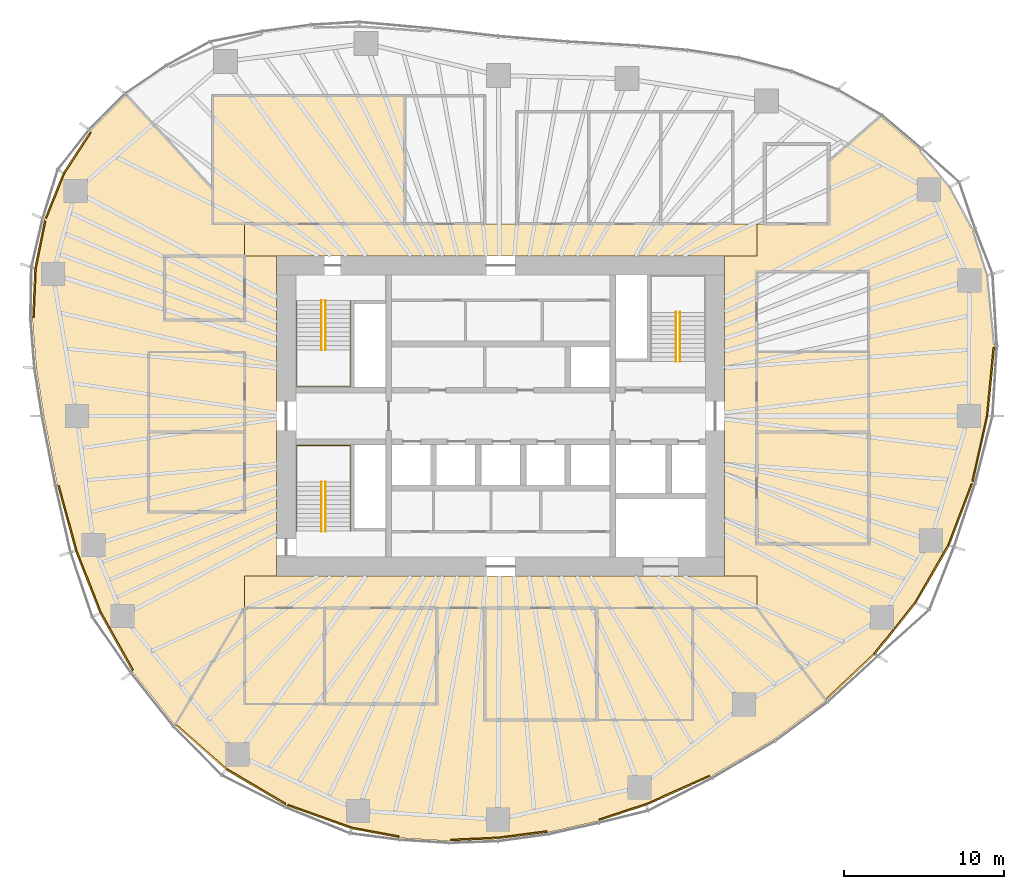
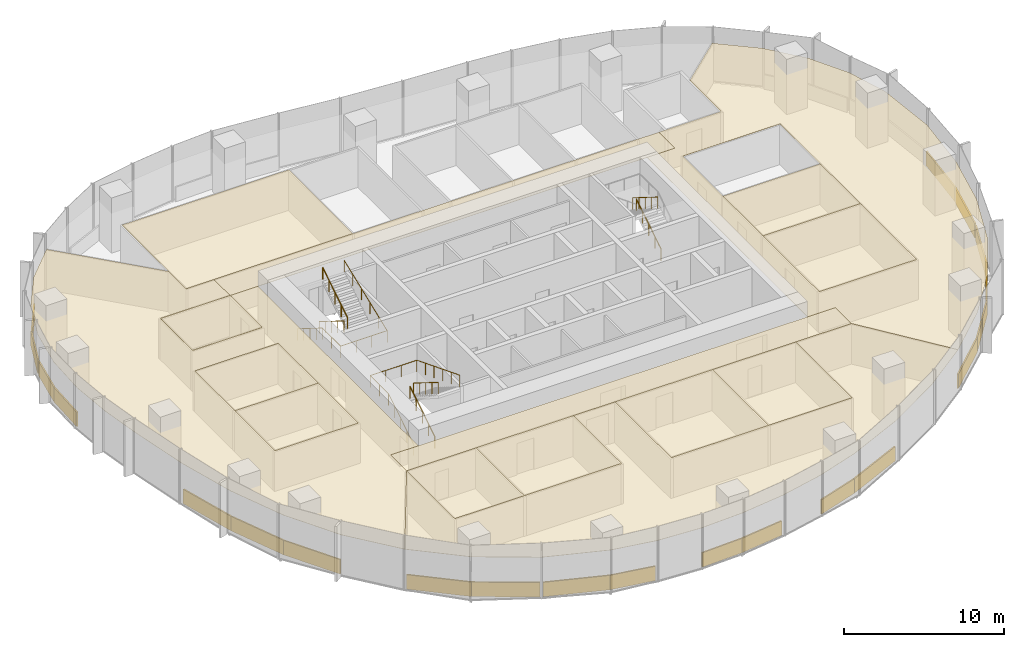
# One storey, part 17 of 18: 37 coverings, 8 railings.
"""IFC4 building model written with IfcOpenShell, lengths in metres."""

from ifc_helpers import new_model, si_unit, direction, frame, origin, origin_2d, place, context, subcontext, project, spatial, polyline, rectangle, circle, outline, extrude, material, layer, layer_set, type_object, element, save


model = new_model("IFC4")

# Units and contexts
model_context = context("Model", 3, precision=1e-05, world=origin(), true_north=direction((0.0, 1.0)))
body_context = subcontext(model_context, "Body", "Model", "MODEL_VIEW")
ifc_project = project(units=[si_unit("LENGTHUNIT", "METRE"), si_unit("AREAUNIT", "SQUARE_METRE"), si_unit("VOLUMEUNIT", "CUBIC_METRE"), si_unit("PLANEANGLEUNIT", "RADIAN"), si_unit("MASSUNIT", "GRAM", prefix="KILO")], contexts=[model_context])

# Site, building, storey
site_placement = place(None, origin())
site = spatial("IfcSite", under=ifc_project, at=site_placement, CompositionType="ELEMENT")
building_placement = place(site_placement, origin())
building = spatial("IfcBuilding", under=site, at=building_placement, Name="Ghaith Harvest Tower", CompositionType="ELEMENT")
storey_placement = place(building_placement, frame((0.0, 0.0, 117.60009765625)))
storey = spatial("IfcBuildingStorey", under=building, at=storey_placement, Name="L24", CompositionType="ELEMENT", Elevation=117.60009765625)

# Coverings
ifc_material_1 = material(Name="Mineral fibre ceiling tile", Category="gypsum")
ifc_layer_1 = layer(ifc_material_1, 0.02001953125)
ifc_layer_set_1 = layer_set([ifc_layer_1], Name="CEILING C1")
covering_type_1 = type_object("IfcCoveringType", Name="CEILING C1", PredefinedType="CEILING", material=ifc_layer_set_1)
covering_1_placement = place(storey_placement, frame((0.0, 0.0, 3.0)))
element("IfcCovering", 1, at=covering_1_placement, inside=storey, type_object=covering_type_1, Name="Ceiling L24-01", PredefinedType="CEILING", context=body_context, shape_type="SweptSolid", body=[
    extrude(outline(polyline([(-18.0, 12.0), (-6.0, 12.0), (-6.0, 20.0), (-18.0, 20.0), (-18.0, 12.0)])), origin(), (0.0, 0.0, 1.0), 0.02001953125),
])
covering_2_placement = place(storey_placement, frame((0.0, 0.0, 3.0)))
element("IfcCovering", 2, at=covering_2_placement, inside=storey, type_object=covering_type_1, Name="Ceiling L24-06", PredefinedType="CEILING", context=body_context, shape_type="SweptSolid", body=[
    extrude(outline(polyline([(-16.0, -18.0), (-11.0, -18.0), (-11.0, -12.0), (-16.0, -12.0), (-16.0, -18.0)])), origin(), (0.0, 0.0, 1.0), 0.02001953125),
])
covering_3_placement = place(storey_placement, frame((0.0, 0.0, 3.0)))
element("IfcCovering", 3, at=covering_3_placement, inside=storey, type_object=covering_type_1, Name="Ceiling L24-07", PredefinedType="CEILING", context=body_context, shape_type="SweptSolid", body=[
    extrude(outline(polyline([(-11.0, -18.0), (-4.0, -18.0), (-4.0, -12.0), (-11.0, -12.0), (-11.0, -18.0)])), origin(), (0.0, 0.0, 1.0), 0.02001953125),
])
covering_4_placement = place(storey_placement, frame((0.0, 0.0, 3.0)))
element("IfcCovering", 4, at=covering_4_placement, inside=storey, type_object=covering_type_1, Name="Ceiling L24-08", PredefinedType="CEILING", context=body_context, shape_type="SweptSolid", body=[
    extrude(outline(polyline([(-1.0, -19.0), (6.0, -19.0), (6.0, -12.0), (-1.0, -12.0), (-1.0, -19.0)])), origin(), (0.0, 0.0, 1.0), 0.02001953125),
])
covering_5_placement = place(storey_placement, frame((0.0, 0.0, 3.0)))
element("IfcCovering", 5, at=covering_5_placement, inside=storey, type_object=covering_type_1, Name="Ceiling L24-09", PredefinedType="CEILING", context=body_context, shape_type="SweptSolid", body=[
    extrude(outline(polyline([(6.0, -19.0), (12.0, -19.0), (12.0, -12.0), (6.0, -12.0), (6.0, -19.0)])), origin(), (0.0, 0.0, 1.0), 0.02001953125),
])
covering_6_placement = place(storey_placement, frame((0.0, 0.0, 3.0)))
element("IfcCovering", 6, at=covering_6_placement, inside=storey, type_object=covering_type_1, Name="Ceiling L24-10", PredefinedType="CEILING", context=body_context, shape_type="SweptSolid", body=[
    extrude(outline(polyline([(16.0, -8.0), (23.0, -8.0), (23.0, -1.0), (16.0, -1.0), (16.0, -8.0)])), origin(), (0.0, 0.0, 1.0), 0.02001953125),
])
covering_7_placement = place(storey_placement, frame((0.0, 0.0, 3.0)))
element("IfcCovering", 7, at=covering_7_placement, inside=storey, type_object=covering_type_1, Name="Ceiling L24-11", PredefinedType="CEILING", context=body_context, shape_type="SweptSolid", body=[
    extrude(outline(polyline([(16.0, -1.0), (23.0, -1.0), (23.0, 4.0), (16.0, 4.0), (16.0, -1.0)])), origin(), (0.0, 0.0, 1.0), 0.02001953125),
])
covering_8_placement = place(storey_placement, frame((0.0, 0.0, 3.0)))
element("IfcCovering", 8, at=covering_8_placement, inside=storey, type_object=covering_type_1, Name="Ceiling L24-13", PredefinedType="CEILING", context=body_context, shape_type="SweptSolid", body=[
    extrude(outline(polyline([(-22.0, -6.0), (-16.0, -6.0), (-16.0, -1.0), (-22.0, -1.0), (-22.0, -6.0)])), origin(), (0.0, 0.0, 1.0), 0.02001953125),
])
covering_9_placement = place(storey_placement, frame((0.0, 0.0, 3.0)))
element("IfcCovering", 9, at=covering_9_placement, inside=storey, type_object=covering_type_1, Name="Ceiling L24-14", PredefinedType="CEILING", context=body_context, shape_type="SweptSolid", body=[
    extrude(outline(polyline([(-22.0, -1.0), (-16.0, -1.0), (-16.0, 4.0), (-22.0, 4.0), (-22.0, -1.0)])), origin(), (0.0, 0.0, 1.0), 0.02001953125),
])
covering_10_placement = place(storey_placement, frame((0.0, 0.0, 3.0)))
element("IfcCovering", 10, at=covering_10_placement, inside=storey, type_object=covering_type_1, Name="Ceiling L24-16", PredefinedType="CEILING", context=body_context, shape_type="SweptSolid", body=[
    extrude(outline(polyline([(-21.0, 6.0), (-16.0, 6.0), (-16.0, 10.0), (-21.0, 10.0), (-21.0, 6.0)])), origin(), (0.0, 0.0, 1.0), 0.02001953125),
])
covering_11_placement = place(storey_placement, frame((0.0, 0.0, 3.0)))
element("IfcCovering", 11, at=covering_11_placement, inside=storey, type_object=covering_type_1, Name="Ceiling L24-C1", PredefinedType="CEILING", context=body_context, shape_type="SweptSolid", body=[
    extrude(outline(polyline([(-16.0, 12.0), (16.0, 12.0), (16.0, 10.0), (-16.0, 10.0), (-16.0, 12.0)])), origin(), (0.0, 0.0, 1.0), 0.02001953125),
])
covering_12_placement = place(storey_placement, frame((0.0, 0.0, 3.0)))
element("IfcCovering", 12, at=covering_12_placement, inside=storey, type_object=covering_type_1, Name="Ceiling L24-C2", PredefinedType="CEILING", context=body_context, shape_type="SweptSolid", body=[
    extrude(outline(polyline([(16.0, -10.0), (16.0, -12.0), (-16.0, -12.0), (-16.0, -10.0), (16.0, -10.0)])), origin(), (0.0, 0.0, 1.0), 0.02001953125),
])
covering_13_placement = place(storey_placement, frame((0.0, 0.0, 3.0)))
element("IfcCovering", 13, at=covering_13_placement, inside=storey, type_object=covering_type_1, Name="Ceiling L24-E1", PredefinedType="CEILING", context=body_context, shape_type="SweptSolid", body=[
    extrude(outline(polyline([(28.0888671875, 14.32568359375), (29.52294921875, 11.671875), (30.439208984375, 8.797607421875), (30.8798828125, 4.373046875), (30.458740234375, 0.0), (29.527099609375, -4.181396484375), (28.03125, -8.1015625), (25.94775390625, -11.714111328125), (23.400390625, -14.89208984375), (20.33935546875, -17.784912109375), (16.0, -12.0), (16.0, -10.0), (14.0, -10.0), (14.0, 10.0), (16.0, 10.0), (16.0, 12.0), (20.5, 12.0), (20.5, 15.912109375), (23.7275390625, 18.718017578125), (26.179443359375, 16.660888671875), (28.0888671875, 14.32568359375)]), holes=[polyline([(23.0, -8.0), (23.0, 9.0), (16.0, 9.0), (16.0, -8.0), (23.0, -8.0)])]), origin(), (0.0, 0.0, 1.0), 0.02001953125),
])
covering_14_placement = place(storey_placement, frame((0.0, 0.0, 3.0)))
element("IfcCovering", 14, at=covering_14_placement, inside=storey, type_object=covering_type_1, Name="Ceiling L24-S1", PredefinedType="CEILING", context=body_context, shape_type="SweptSolid", body=[
    extrude(outline(polyline([(17.054443359375, -20.22412109375), (13.163818359375, -22.510498046875), (9.09423828125, -24.326904296875), (6.09228515625, -25.308837890625), (2.99609375, -26.010009765625), (-0.180908203125, -26.423583984375), (-3.204833984375, -26.556884765625), (-6.2666015625, -26.366455078125), (-9.317138671875, -25.79638671875), (-13.4052734375, -24.33740234375), (-17.1728515625, -22.11181640625), (-20.35400390625, -19.31396484375), (-16.0, -12.0), (-16.0, -18.0), (-4.0, -18.0), (-4.0, -12.0), (-1.0, -12.0), (-1.0, -19.0), (12.0, -19.0), (12.0, -12.0), (16.0, -12.0), (20.33935546875, -17.784912109375), (17.054443359375, -20.22412109375)])), origin(), (0.0, 0.0, 1.0), 0.02001953125),
])
covering_15_placement = place(storey_placement, frame((0.0, 0.0, 3.0)))
element("IfcCovering", 15, at=covering_15_placement, inside=storey, type_object=covering_type_1, Name="Ceiling L24-W1", PredefinedType="CEILING", context=body_context, shape_type="SweptSolid", body=[
    extrude(outline(polyline([(-26.580078125, -8.423583984375), (-27.70947265625, -4.285888671875), (-28.541259765625, 0.0), (-29.01171875, 2.978271484375), (-29.260498046875, 6.07177734375), (-29.12646484375, 9.230712890625), (-28.506591796875, 12.29638671875), (-27.33837890625, 15.204833984375), (-25.61962890625, 17.826416015625), (-23.398193359375, 20.06103515625), (-18.0, 14.17919921875), (-18.0, 12.0), (-16.0, 12.0), (-16.0, 10.010009765625), (-21.010009765625, 10.010009765625), (-21.010009765625, 5.989990234375), (-15.989990234375, 5.989990234375), (-15.989990234375, 10.0), (-14.0, 10.0), (-14.0, -10.0), (-16.0, -10.0), (-16.0, -12.0), (-20.35400390625, -19.31396484375), (-22.99169921875, -15.997802734375), (-25.046875, -12.32861328125), (-26.580078125, -8.423583984375)]), holes=[polyline([(-16.0, -6.0), (-16.0, 4.0), (-22.0, 4.0), (-22.0, -6.0), (-16.0, -6.0)])]), origin(), (0.0, 0.0, 1.0), 0.02001953125),
])

# Railings
ifc_material_2 = material(Name="Steel, black powder-coated", Category="steel")
railing_type = type_object("IfcRailingType", Name="HANDRAIL HR1", PredefinedType="HANDRAIL", material=ifc_material_2)
railing_1_placement = place(storey_placement, frame((-11.199951171875, 7.199951171875, 0.1748046875)))
element("IfcRailing", 16, at=railing_1_placement, inside=storey, type_object=railing_type, Name="Handrail HR1 stair ST1 L24 flight 1 inner", PredefinedType="HANDRAIL", context=body_context, shape_type="SweptSolid", body=[
    extrude(circle(Radius=0.02392578125, at=origin_2d()), frame((0.0, 0.0, 0.8759765625), z_axis=(0.0, -0.847979421464, 0.530029150871), x_axis=(1.0, 0.0, 0.0)), (0.0, 0.0, 1.0), 3.632080078125),
    extrude(circle(Radius=0.02099609375, at=origin_2d()), origin(), (0.0, 0.0, 1.0), 0.851806640625),
    extrude(circle(Radius=0.02099609375, at=origin_2d()), frame((0.0, -0.77001953125, 0.481201171875)), (0.0, 0.0, 1.0), 0.851806640625),
    extrude(circle(Radius=0.02099609375, at=origin_2d()), frame((0.0, -1.5400390625, 0.96240234375)), (0.0, 0.0, 1.0), 0.851806640625),
    extrude(circle(Radius=0.02099609375, at=origin_2d()), frame((0.0, -2.309814453125, 1.44384765625)), (0.0, 0.0, 1.0), 0.851806640625),
    extrude(circle(Radius=0.02099609375, at=origin_2d()), frame((0.0, -3.079833984375, 1.925048828125)), (0.0, 0.0, 1.0), 0.851806640625),
])
railing_2_placement = place(storey_placement, frame((-10.949951171875, 4.1201171875, 2.27490234375)))
element("IfcRailing", 17, at=railing_2_placement, inside=storey, type_object=railing_type, Name="Handrail HR1 stair ST1 L24 flight 2 inner", PredefinedType="HANDRAIL", context=body_context, shape_type="SweptSolid", body=[
    extrude(circle(Radius=0.02392578125, at=origin_2d()), frame((0.0, 0.0, 0.8759765625), z_axis=(0.0, 0.847979421464, 0.530029150871), x_axis=(-1.0, 0.0, 0.0)), (0.0, 0.0, 1.0), 3.632080078125),
    extrude(circle(Radius=0.02099609375, at=origin_2d()), origin(), (0.0, 0.0, 1.0), 0.851806640625),
    extrude(circle(Radius=0.02099609375, at=origin_2d()), frame((0.0, 0.77001953125, 0.481201171875)), (0.0, 0.0, 1.0), 0.851806640625),
    extrude(circle(Radius=0.02099609375, at=origin_2d()), frame((0.0, 1.5400390625, 0.96240234375)), (0.0, 0.0, 1.0), 0.851806640625),
    extrude(circle(Radius=0.02099609375, at=origin_2d()), frame((0.0, 2.309814453125, 1.44384765625)), (0.0, 0.0, 1.0), 0.851806640625),
    extrude(circle(Radius=0.02099609375, at=origin_2d()), frame((0.0, 3.079833984375, 1.925048828125)), (0.0, 0.0, 1.0), 0.851806640625),
])
railing_3_placement = place(storey_placement, frame((-12.75, 7.199951171875, 0.1748046875)))
element("IfcRailing", 18, at=railing_3_placement, inside=storey, type_object=railing_type, Name="Handrail HR1 stair ST1 L24 wall side", PredefinedType="HANDRAIL", context=body_context, shape_type="SweptSolid", body=[
    extrude(circle(Radius=0.02392578125, at=origin_2d()), frame((0.0, 0.0, 0.8759765625), z_axis=(0.0, -0.847979421464, 0.530029150871), x_axis=(1.0, 0.0, 0.0)), (0.0, 0.0, 1.0), 3.632080078125),
    extrude(circle(Radius=0.02392578125, at=origin_2d()), frame((0.0, -3.079833984375, 2.80078125), z_axis=(0.0, -1.0, 0.0), x_axis=(1.0, 0.0, 0.0)), (0.0, 0.0, 1.0), 2.27001953125),
    extrude(circle(Radius=0.02392578125, at=origin_2d()), frame((0.0, -5.349853515625, 2.80078125), z_axis=(1.0, 0.0, 0.0), x_axis=(0.0, 1.0, 0.0)), (0.0, 0.0, 1.0), 3.35009765625),
    extrude(circle(Radius=0.02392578125, at=origin_2d()), frame((3.35009765625, -5.349853515625, 2.80078125), z_axis=(0.0, 0.930848013298, 0.36540659017), x_axis=(-1.0, 0.0, 0.0)), (0.0, 0.0, 1.0), 5.747314453125),
    extrude(circle(Radius=0.02099609375, at=origin_2d()), origin(), (0.0, 0.0, 1.0), 0.851806640625),
    extrude(circle(Radius=0.02099609375, at=origin_2d()), frame((0.0, -0.77001953125, 0.481201171875)), (0.0, 0.0, 1.0), 0.851806640625),
    extrude(circle(Radius=0.02099609375, at=origin_2d()), frame((0.0, -1.5400390625, 0.96240234375)), (0.0, 0.0, 1.0), 0.851806640625),
    extrude(circle(Radius=0.02099609375, at=origin_2d()), frame((0.0, -2.309814453125, 1.44384765625)), (0.0, 0.0, 1.0), 0.851806640625),
    extrude(circle(Radius=0.02099609375, at=origin_2d()), frame((0.0, -3.079833984375, 1.925048828125)), (0.0, 0.0, 1.0), 0.851806640625),
    extrude(circle(Radius=0.02099609375, at=origin_2d()), frame((0.0, -4.21484375, 1.925048828125)), (0.0, 0.0, 1.0), 0.851806640625),
    extrude(circle(Radius=0.02099609375, at=origin_2d()), frame((0.0, -5.349853515625, 1.925048828125)), (0.0, 0.0, 1.0), 0.851806640625),
    extrude(circle(Radius=0.02099609375, at=origin_2d()), frame((1.11669921875, -5.349853515625, 1.925048828125)), (0.0, 0.0, 1.0), 0.851806640625),
    extrude(circle(Radius=0.02099609375, at=origin_2d()), frame((2.2333984375, -5.349853515625, 1.925048828125)), (0.0, 0.0, 1.0), 0.851806640625),
    extrude(circle(Radius=0.02099609375, at=origin_2d()), frame((3.35009765625, -5.349853515625, 1.925048828125)), (0.0, 0.0, 1.0), 0.851806640625),
    extrude(circle(Radius=0.02099609375, at=origin_2d()), frame((3.35009765625, -4.27978515625, 2.344970703125)), (0.0, 0.0, 1.0), 0.851806640625),
    extrude(circle(Radius=0.02099609375, at=origin_2d()), frame((3.35009765625, -3.2099609375, 2.76513671875)), (0.0, 0.0, 1.0), 0.851806640625),
    extrude(circle(Radius=0.02099609375, at=origin_2d()), frame((3.35009765625, -2.139892578125, 3.18505859375)), (0.0, 0.0, 1.0), 0.851806640625),
    extrude(circle(Radius=0.02099609375, at=origin_2d()), frame((3.35009765625, -1.070068359375, 3.605224609375)), (0.0, 0.0, 1.0), 0.851806640625),
    extrude(circle(Radius=0.02099609375, at=origin_2d()), frame((3.35009765625, 0.0, 4.025146484375)), (0.0, 0.0, 1.0), 0.851806640625),
])
railing_4_placement = place(storey_placement, frame((-11.199951171875, -7.199951171875, 0.1748046875)))
element("IfcRailing", 19, at=railing_4_placement, inside=storey, type_object=railing_type, Name="Handrail HR1 stair ST3 L24 flight 1 inner", PredefinedType="HANDRAIL", context=body_context, shape_type="SweptSolid", body=[
    extrude(circle(Radius=0.02392578125, at=origin_2d()), frame((0.0, 0.0, 0.8759765625), z_axis=(0.0, 0.847979421464, 0.530029150871), x_axis=(-1.0, 0.0, 0.0)), (0.0, 0.0, 1.0), 3.632080078125),
    extrude(circle(Radius=0.02099609375, at=origin_2d()), origin(), (0.0, 0.0, 1.0), 0.851806640625),
    extrude(circle(Radius=0.02099609375, at=origin_2d()), frame((0.0, 0.77001953125, 0.481201171875)), (0.0, 0.0, 1.0), 0.851806640625),
    extrude(circle(Radius=0.02099609375, at=origin_2d()), frame((0.0, 1.5400390625, 0.96240234375)), (0.0, 0.0, 1.0), 0.851806640625),
    extrude(circle(Radius=0.02099609375, at=origin_2d()), frame((0.0, 2.309814453125, 1.44384765625)), (0.0, 0.0, 1.0), 0.851806640625),
    extrude(circle(Radius=0.02099609375, at=origin_2d()), frame((0.0, 3.079833984375, 1.925048828125)), (0.0, 0.0, 1.0), 0.851806640625),
])
railing_5_placement = place(storey_placement, frame((-10.949951171875, -4.1201171875, 2.27490234375)))
element("IfcRailing", 20, at=railing_5_placement, inside=storey, type_object=railing_type, Name="Handrail HR1 stair ST3 L24 flight 2 inner", PredefinedType="HANDRAIL", context=body_context, shape_type="SweptSolid", body=[
    extrude(circle(Radius=0.02392578125, at=origin_2d()), frame((0.0, 0.0, 0.8759765625), z_axis=(0.0, -0.847979421464, 0.530029150871), x_axis=(1.0, 0.0, 0.0)), (0.0, 0.0, 1.0), 3.632080078125),
    extrude(circle(Radius=0.02099609375, at=origin_2d()), origin(), (0.0, 0.0, 1.0), 0.851806640625),
    extrude(circle(Radius=0.02099609375, at=origin_2d()), frame((0.0, -0.77001953125, 0.481201171875)), (0.0, 0.0, 1.0), 0.851806640625),
    extrude(circle(Radius=0.02099609375, at=origin_2d()), frame((0.0, -1.5400390625, 0.96240234375)), (0.0, 0.0, 1.0), 0.851806640625),
    extrude(circle(Radius=0.02099609375, at=origin_2d()), frame((0.0, -2.309814453125, 1.44384765625)), (0.0, 0.0, 1.0), 0.851806640625),
    extrude(circle(Radius=0.02099609375, at=origin_2d()), frame((0.0, -3.079833984375, 1.925048828125)), (0.0, 0.0, 1.0), 0.851806640625),
])
railing_6_placement = place(storey_placement, frame((-12.75, -7.199951171875, 0.1748046875)))
element("IfcRailing", 21, at=railing_6_placement, inside=storey, type_object=railing_type, Name="Handrail HR1 stair ST3 L24 wall side", PredefinedType="HANDRAIL", context=body_context, shape_type="SweptSolid", body=[
    extrude(circle(Radius=0.02392578125, at=origin_2d()), frame((0.0, 0.0, 0.8759765625), z_axis=(0.0, 0.847979421464, 0.530029150871), x_axis=(-1.0, 0.0, 0.0)), (0.0, 0.0, 1.0), 3.632080078125),
    extrude(circle(Radius=0.02392578125, at=origin_2d()), frame((0.0, 3.079833984375, 2.80078125), z_axis=(0.0, 1.0, 0.0), x_axis=(-1.0, 0.0, 0.0)), (0.0, 0.0, 1.0), 2.27001953125),
    extrude(circle(Radius=0.02392578125, at=origin_2d()), frame((0.0, 5.349853515625, 2.80078125), z_axis=(1.0, 0.0, 0.0), x_axis=(0.0, 1.0, 0.0)), (0.0, 0.0, 1.0), 3.35009765625),
    extrude(circle(Radius=0.02392578125, at=origin_2d()), frame((3.35009765625, 5.349853515625, 2.80078125), z_axis=(0.0, -0.930848013298, 0.36540659017), x_axis=(1.0, 0.0, 0.0)), (0.0, 0.0, 1.0), 5.747314453125),
    extrude(circle(Radius=0.02099609375, at=origin_2d()), origin(), (0.0, 0.0, 1.0), 0.851806640625),
    extrude(circle(Radius=0.02099609375, at=origin_2d()), frame((0.0, 0.77001953125, 0.481201171875)), (0.0, 0.0, 1.0), 0.851806640625),
    extrude(circle(Radius=0.02099609375, at=origin_2d()), frame((0.0, 1.5400390625, 0.96240234375)), (0.0, 0.0, 1.0), 0.851806640625),
    extrude(circle(Radius=0.02099609375, at=origin_2d()), frame((0.0, 2.309814453125, 1.44384765625)), (0.0, 0.0, 1.0), 0.851806640625),
    extrude(circle(Radius=0.02099609375, at=origin_2d()), frame((0.0, 3.079833984375, 1.925048828125)), (0.0, 0.0, 1.0), 0.851806640625),
    extrude(circle(Radius=0.02099609375, at=origin_2d()), frame((0.0, 4.21484375, 1.925048828125)), (0.0, 0.0, 1.0), 0.851806640625),
    extrude(circle(Radius=0.02099609375, at=origin_2d()), frame((0.0, 5.349853515625, 1.925048828125)), (0.0, 0.0, 1.0), 0.851806640625),
    extrude(circle(Radius=0.02099609375, at=origin_2d()), frame((1.11669921875, 5.349853515625, 1.925048828125)), (0.0, 0.0, 1.0), 0.851806640625),
    extrude(circle(Radius=0.02099609375, at=origin_2d()), frame((2.2333984375, 5.349853515625, 1.925048828125)), (0.0, 0.0, 1.0), 0.851806640625),
    extrude(circle(Radius=0.02099609375, at=origin_2d()), frame((3.35009765625, 5.349853515625, 1.925048828125)), (0.0, 0.0, 1.0), 0.851806640625),
    extrude(circle(Radius=0.02099609375, at=origin_2d()), frame((3.35009765625, 4.27978515625, 2.344970703125)), (0.0, 0.0, 1.0), 0.851806640625),
    extrude(circle(Radius=0.02099609375, at=origin_2d()), frame((3.35009765625, 3.2099609375, 2.76513671875)), (0.0, 0.0, 1.0), 0.851806640625),
    extrude(circle(Radius=0.02099609375, at=origin_2d()), frame((3.35009765625, 2.139892578125, 3.18505859375)), (0.0, 0.0, 1.0), 0.851806640625),
    extrude(circle(Radius=0.02099609375, at=origin_2d()), frame((3.35009765625, 1.070068359375, 3.605224609375)), (0.0, 0.0, 1.0), 0.851806640625),
    extrude(circle(Radius=0.02099609375, at=origin_2d()), frame((3.35009765625, 0.0, 4.025146484375)), (0.0, 0.0, 1.0), 0.851806640625),
])
railing_7_placement = place(storey_placement, frame((11.199951171875, 3.39990234375, 0.1748046875)))
element("IfcRailing", 22, at=railing_7_placement, inside=storey, type_object=railing_type, Name="Handrail HR1 stair ST2 L24 flight 1 inner", PredefinedType="HANDRAIL", context=body_context, shape_type="SweptSolid", body=[
    extrude(circle(Radius=0.02392578125, at=origin_2d()), frame((0.0, 0.0, 0.8759765625), z_axis=(0.0, 0.847998304005, 0.529998940003), x_axis=(-1.0, 0.0, 0.0)), (0.0, 0.0, 1.0), 3.632080078125),
    extrude(circle(Radius=0.02099609375, at=origin_2d()), origin(), (0.0, 0.0, 1.0), 0.851806640625),
    extrude(circle(Radius=0.02099609375, at=origin_2d()), frame((0.0, 0.77001953125, 0.481201171875)), (0.0, 0.0, 1.0), 0.851806640625),
    extrude(circle(Radius=0.02099609375, at=origin_2d()), frame((0.0, 1.5400390625, 0.96240234375)), (0.0, 0.0, 1.0), 0.851806640625),
    extrude(circle(Radius=0.02099609375, at=origin_2d()), frame((0.0, 2.31005859375, 1.44384765625)), (0.0, 0.0, 1.0), 0.851806640625),
    extrude(circle(Radius=0.02099609375, at=origin_2d()), frame((0.0, 3.080078125, 1.925048828125)), (0.0, 0.0, 1.0), 0.851806640625),
])
railing_8_placement = place(storey_placement, frame((10.949951171875, 6.47998046875, 2.27490234375)))
element("IfcRailing", 23, at=railing_8_placement, inside=storey, type_object=railing_type, Name="Handrail HR1 stair ST2 L24 flight 2 inner", PredefinedType="HANDRAIL", context=body_context, shape_type="SweptSolid", body=[
    extrude(circle(Radius=0.02392578125, at=origin_2d()), frame((0.0, 0.0, 0.8759765625), z_axis=(0.0, -0.847998304005, 0.529998940003), x_axis=(1.0, 0.0, 0.0)), (0.0, 0.0, 1.0), 3.632080078125),
    extrude(circle(Radius=0.02099609375, at=origin_2d()), origin(), (0.0, 0.0, 1.0), 0.851806640625),
    extrude(circle(Radius=0.02099609375, at=origin_2d()), frame((0.0, -0.77001953125, 0.481201171875)), (0.0, 0.0, 1.0), 0.851806640625),
    extrude(circle(Radius=0.02099609375, at=origin_2d()), frame((0.0, -1.5400390625, 0.96240234375)), (0.0, 0.0, 1.0), 0.851806640625),
    extrude(circle(Radius=0.02099609375, at=origin_2d()), frame((0.0, -2.31005859375, 1.44384765625)), (0.0, 0.0, 1.0), 0.851806640625),
    extrude(circle(Radius=0.02099609375, at=origin_2d()), frame((0.0, -3.080078125, 1.925048828125)), (0.0, 0.0, 1.0), 0.851806640625),
])

# Coverings
ifc_material_3 = material(Name="Insulated aluminium spandrel panel on steel framing", Category="steel")
ifc_layer_2 = layer(ifc_material_3, 0.10009765625)
ifc_layer_set_2 = layer_set([ifc_layer_2], Name="SLAB EDGE UPSTAND 1100x100")
covering_type_2 = type_object("IfcCoveringType", Name="SLAB EDGE UPSTAND 1100x100", PredefinedType="CLADDING", material=ifc_layer_set_2)
covering_16_placement = place(storey_placement, frame((30.61474609375, 2.1416015625, -0.000244140625), z_axis=(0.0, 0.0, 1.0), x_axis=(0.095861332319, 0.99539469808, 0.0)))
element("IfcCovering", 24, at=covering_16_placement, inside=storey, type_object=covering_type_2, Name="Slab edge upstand 1 bay 01 L24", PredefinedType="CLADDING", context=body_context, shape_type="SweptSolid", body=[
    extrude(rectangle(XDim=4.293212890625, YDim=0.10009765625, at=origin_2d()), origin(), (0.0, 0.0, 1.0), 1.10009765625),
])
covering_17_placement = place(storey_placement, frame((-26.464599609375, 16.4462890625, -0.000244140625), z_axis=(0.0, 0.0, 1.0), x_axis=(-0.548312211554, -0.836273710373, 0.0)))
element("IfcCovering", 25, at=covering_17_placement, inside=storey, type_object=covering_type_2, Name="Slab edge upstand 1 bay 09 L24", PredefinedType="CLADDING", context=body_context, shape_type="SweptSolid", body=[
    extrude(rectangle(XDim=3.03466796875, YDim=0.10009765625, at=origin_2d()), origin(), (0.0, 0.0, 1.0), 1.10009765625),
])
covering_18_placement = place(storey_placement, frame((-27.857421875, 13.7783203125, -0.000244140625), z_axis=(0.0, 0.0, 1.0), x_axis=(-0.372732078847, -0.927939005215, 0.0)))
element("IfcCovering", 26, at=covering_18_placement, inside=storey, type_object=covering_type_2, Name="Slab edge upstand 2 bay 09 L24", PredefinedType="CLADDING", context=body_context, shape_type="SweptSolid", body=[
    extrude(rectangle(XDim=3.034423828125, YDim=0.10009765625, at=origin_2d()), origin(), (0.0, 0.0, 1.0), 1.10009765625),
])
covering_19_placement = place(storey_placement, frame((-28.777587890625, 10.70458984375, -0.000244140625), z_axis=(0.0, 0.0, 1.0), x_axis=(-0.198182542943, -0.980165128778, 0.0)))
element("IfcCovering", 27, at=covering_19_placement, inside=storey, type_object=covering_type_2, Name="Slab edge upstand 3 bay 09 L24", PredefinedType="CLADDING", context=body_context, shape_type="SweptSolid", body=[
    extrude(rectangle(XDim=3.027587890625, YDim=0.10009765625, at=origin_2d()), origin(), (0.0, 0.0, 1.0), 1.10009765625),
])
covering_20_placement = place(storey_placement, frame((-29.141357421875, 7.69921875, -0.000244140625), z_axis=(0.0, 0.0, 1.0), x_axis=(-0.042372799788, -0.9991018696, 0.0)))
element("IfcCovering", 28, at=covering_20_placement, inside=storey, type_object=covering_type_2, Name="Slab edge upstand 1 bay 10 L24", PredefinedType="CLADDING", context=body_context, shape_type="SweptSolid", body=[
    extrude(rectangle(XDim=3.061767578125, YDim=0.10009765625, at=origin_2d()), origin(), (0.0, 0.0, 1.0), 1.10009765625),
])
covering_21_placement = place(storey_placement, frame((-27.08349609375, -6.389892578125, -0.000244140625), z_axis=(0.0, 0.0, 1.0), x_axis=(0.263287721652, -0.964717355305, 0.0)))
element("IfcCovering", 29, at=covering_21_placement, inside=storey, type_object=covering_type_2, Name="Slab edge upstand 2 bay 11 L24", PredefinedType="CLADDING", context=body_context, shape_type="SweptSolid", body=[
    extrude(rectangle(XDim=4.189208984375, YDim=0.10009765625, at=origin_2d()), origin(), (0.0, 0.0, 1.0), 1.10009765625),
])
covering_22_placement = place(storey_placement, frame((-25.76708984375, -10.35791015625, -0.000244140625), z_axis=(0.0, 0.0, 1.0), x_axis=(0.365514970008, -0.930805461254, 0.0)))
element("IfcCovering", 30, at=covering_22_placement, inside=storey, type_object=covering_type_2, Name="Slab edge upstand 1 bay 12 L24", PredefinedType="CLADDING", context=body_context, shape_type="SweptSolid", body=[
    extrude(rectangle(XDim=4.195068359375, YDim=0.10009765625, at=origin_2d()), origin(), (0.0, 0.0, 1.0), 1.10009765625),
])
covering_23_placement = place(storey_placement, frame((-24.0, -14.09521484375, -0.000244140625), z_axis=(0.0, 0.0, 1.0), x_axis=(0.488683758288, -0.872460993045, 0.0)))
element("IfcCovering", 31, at=covering_23_placement, inside=storey, type_object=covering_type_2, Name="Slab edge upstand 2 bay 12 L24", PredefinedType="CLADDING", context=body_context, shape_type="SweptSolid", body=[
    extrude(rectangle(XDim=4.10546875, YDim=0.10009765625, at=origin_2d()), origin(), (0.0, 0.0, 1.0), 1.10009765625),
])
covering_24_placement = place(storey_placement, frame((-18.69287109375, -20.70849609375, -0.000244140625), z_axis=(0.0, 0.0, 1.0), x_axis=(0.75089221411, -0.660424774511, 0.0)))
element("IfcCovering", 32, at=covering_24_placement, inside=storey, type_object=covering_type_2, Name="Slab edge upstand 2 bay 13 L24", PredefinedType="CLADDING", context=body_context, shape_type="SweptSolid", body=[
    extrude(rectangle(XDim=4.136474609375, YDim=0.10009765625, at=origin_2d()), origin(), (0.0, 0.0, 1.0), 1.10009765625),
])
covering_25_placement = place(storey_placement, frame((-15.306640625, -23.15625, -0.000244140625), z_axis=(0.0, 0.0, 1.0), x_axis=(0.861020519069, -0.508570217121, 0.0)))
element("IfcCovering", 33, at=covering_25_placement, inside=storey, type_object=covering_type_2, Name="Slab edge upstand 1 bay 14 L24", PredefinedType="CLADDING", context=body_context, shape_type="SweptSolid", body=[
    extrude(rectangle(XDim=4.27587890625, YDim=0.10009765625, at=origin_2d()), origin(), (0.0, 0.0, 1.0), 1.10009765625),
])
covering_26_placement = place(storey_placement, frame((-11.29736328125, -25.03662109375, -0.000244140625), z_axis=(0.0, 0.0, 1.0), x_axis=(0.941807015649, -0.336154049915, 0.0)))
element("IfcCovering", 34, at=covering_26_placement, inside=storey, type_object=covering_type_2, Name="Slab edge upstand 2 bay 14 L24", PredefinedType="CLADDING", context=body_context, shape_type="SweptSolid", body=[
    extrude(rectangle(XDim=4.24072265625, YDim=0.10009765625, at=origin_2d()), origin(), (0.0, 0.0, 1.0), 1.10009765625),
])
covering_27_placement = place(storey_placement, frame((-7.831787109375, -26.023193359375, -0.000244140625), z_axis=(0.0, 0.0, 1.0), x_axis=(0.982990071164, -0.183658705191, 0.0)))
element("IfcCovering", 35, at=covering_27_placement, inside=storey, type_object=covering_type_2, Name="Slab edge upstand 1 bay 15 L24", PredefinedType="CLADDING", context=body_context, shape_type="SweptSolid", body=[
    extrude(rectangle(XDim=3.003173828125, YDim=0.10009765625, at=origin_2d()), origin(), (0.0, 0.0, 1.0), 1.10009765625),
])
covering_28_placement = place(storey_placement, frame((-1.64501953125, -26.43798828125, -0.000244140625), z_axis=(0.0, 0.0, 1.0), x_axis=(0.999029547734, 0.044045008275, 0.0)))
element("IfcCovering", 36, at=covering_28_placement, inside=storey, type_object=covering_type_2, Name="Slab edge upstand 3 bay 15 L24", PredefinedType="CLADDING", context=body_context, shape_type="SweptSolid", body=[
    extrude(rectangle(XDim=2.927001953125, YDim=0.10009765625, at=origin_2d()), origin(), (0.0, 0.0, 1.0), 1.10009765625),
])
covering_29_placement = place(storey_placement, frame((1.3515625, -26.173583984375, -0.000244140625), z_axis=(0.0, 0.0, 1.0), x_axis=(0.991633707242, 0.129083657611, 0.0)))
element("IfcCovering", 37, at=covering_29_placement, inside=storey, type_object=covering_type_2, Name="Slab edge upstand 1 bay 16 L24", PredefinedType="CLADDING", context=body_context, shape_type="SweptSolid", body=[
    extrude(rectangle(XDim=3.103759765625, YDim=0.10009765625, at=origin_2d()), origin(), (0.0, 0.0, 1.0), 1.10009765625),
])
covering_30_placement = place(storey_placement, frame((7.625244140625, -24.754638671875, -0.000244140625), z_axis=(0.0, 0.0, 1.0), x_axis=(0.950441392134, 0.310903779518, 0.0)))
element("IfcCovering", 38, at=covering_30_placement, inside=storey, type_object=covering_type_2, Name="Slab edge upstand 3 bay 16 L24", PredefinedType="CLADDING", context=body_context, shape_type="SweptSolid", body=[
    extrude(rectangle(XDim=3.05859375, YDim=0.10009765625, at=origin_2d()), origin(), (0.0, 0.0, 1.0), 1.10009765625),
])
covering_31_placement = place(storey_placement, frame((11.06298828125, -23.393310546875, -0.000244140625), z_axis=(0.0, 0.0, 1.0), x_axis=(0.913170343632, 0.407578119519, 0.0)))
element("IfcCovering", 39, at=covering_31_placement, inside=storey, type_object=covering_type_2, Name="Slab edge upstand 1 bay 17 L24", PredefinedType="CLADDING", context=body_context, shape_type="SweptSolid", body=[
    extrude(rectangle(XDim=4.356689453125, YDim=0.10009765625, at=origin_2d()), origin(), (0.0, 0.0, 1.0), 1.10009765625),
])
covering_32_placement = place(storey_placement, frame((21.871826171875, -16.267822265625, -0.000244140625), z_axis=(0.0, 0.0, 1.0), x_axis=(0.72680962062, 0.686838973395, 0.0)))
element("IfcCovering", 40, at=covering_32_placement, inside=storey, type_object=covering_type_2, Name="Slab edge upstand 2 bay 18 L24", PredefinedType="CLADDING", context=body_context, shape_type="SweptSolid", body=[
    extrude(rectangle(XDim=4.111572265625, YDim=0.10009765625, at=origin_2d()), origin(), (0.0, 0.0, 1.0), 1.10009765625),
])
covering_33_placement = place(storey_placement, frame((23.95263671875, -14.123046875, -0.000244140625), z_axis=(0.0, 0.0, 1.0), x_axis=(0.625468377377, 0.780249517079, 0.0)))
element("IfcCovering", 41, at=covering_33_placement, inside=storey, type_object=covering_type_2, Name="Slab edge upstand 1 bay 19 L24", PredefinedType="CLADDING", context=body_context, shape_type="SweptSolid", body=[
    extrude(rectangle(XDim=1.89111328125, YDim=0.10009765625, at=origin_2d()), origin(), (0.0, 0.0, 1.0), 1.10009765625),
])
covering_34_placement = place(storey_placement, frame((25.266845703125, -12.483642578125, -0.000244140625), z_axis=(0.0, 0.0, 1.0), x_axis=(0.625468377377, 0.780249517079, 0.0)))
element("IfcCovering", 42, at=covering_34_placement, inside=storey, type_object=covering_type_2, Name="Slab edge upstand 1 bay 19 L24", PredefinedType="CLADDING", context=body_context, shape_type="SweptSolid", body=[
    extrude(rectangle(XDim=2.052490234375, YDim=0.10009765625, at=origin_2d()), origin(), (0.0, 0.0, 1.0), 1.10009765625),
])
covering_35_placement = place(storey_placement, frame((26.9462890625, -9.8828125, -0.000244140625), z_axis=(0.0, 0.0, 1.0), x_axis=(0.499596169173, 0.866258430117, 0.0)))
element("IfcCovering", 43, at=covering_35_placement, inside=storey, type_object=covering_type_2, Name="Slab edge upstand 2 bay 19 L24", PredefinedType="CLADDING", context=body_context, shape_type="SweptSolid", body=[
    extrude(rectangle(XDim=4.170166015625, YDim=0.10009765625, at=origin_2d()), origin(), (0.0, 0.0, 1.0), 1.10009765625),
])
covering_36_placement = place(storey_placement, frame((28.714599609375, -6.17041015625, -0.000244140625), z_axis=(0.0, 0.0, 1.0), x_axis=(0.356503850378, 0.934293853488, 0.0)))
element("IfcCovering", 44, at=covering_36_placement, inside=storey, type_object=covering_type_2, Name="Slab edge upstand 1 bay 20 L24", PredefinedType="CLADDING", context=body_context, shape_type="SweptSolid", body=[
    extrude(rectangle(XDim=4.095947265625, YDim=0.10009765625, at=origin_2d()), origin(), (0.0, 0.0, 1.0), 1.10009765625),
])
covering_37_placement = place(storey_placement, frame((29.955078125, -2.031005859375, -0.000244140625), z_axis=(0.0, 0.0, 1.0), x_axis=(0.217466241983, 0.976067842723, 0.0)))
element("IfcCovering", 45, at=covering_37_placement, inside=storey, type_object=covering_type_2, Name="Slab edge upstand 2 bay 20 L24", PredefinedType="CLADDING", context=body_context, shape_type="SweptSolid", body=[
    extrude(rectangle(XDim=4.183837890625, YDim=0.10009765625, at=origin_2d()), origin(), (0.0, 0.0, 1.0), 1.10009765625),
])

save(model, "model.ifc")
